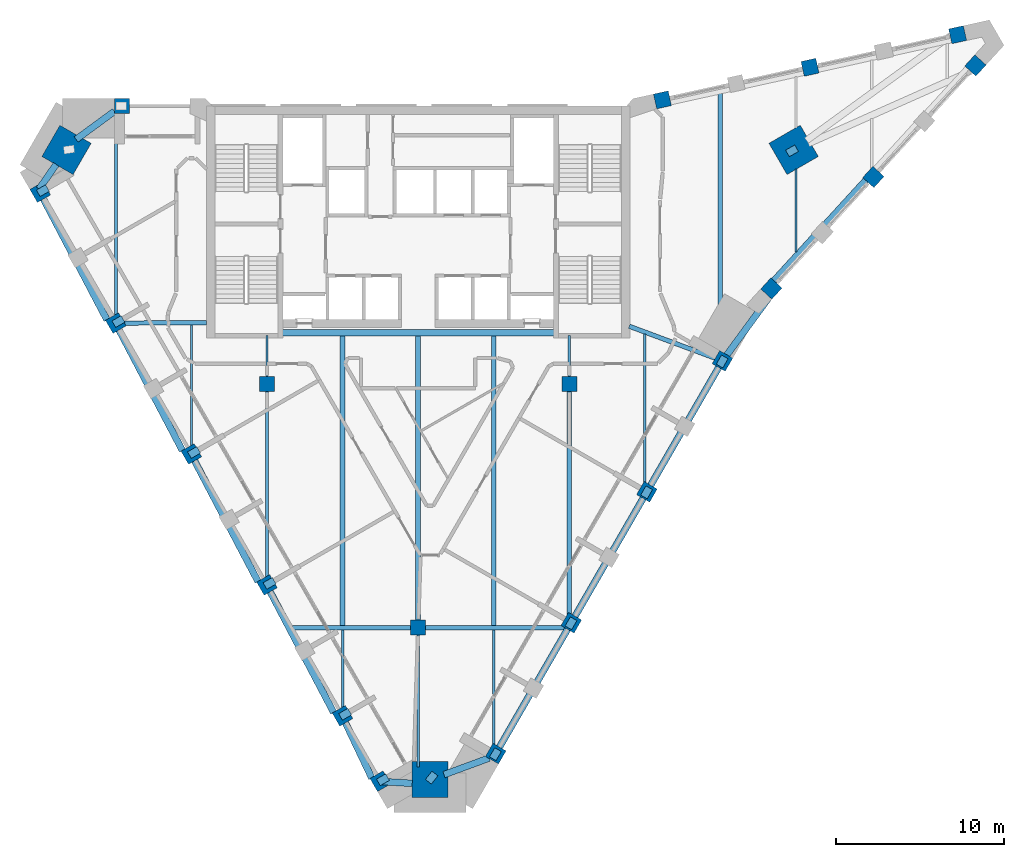
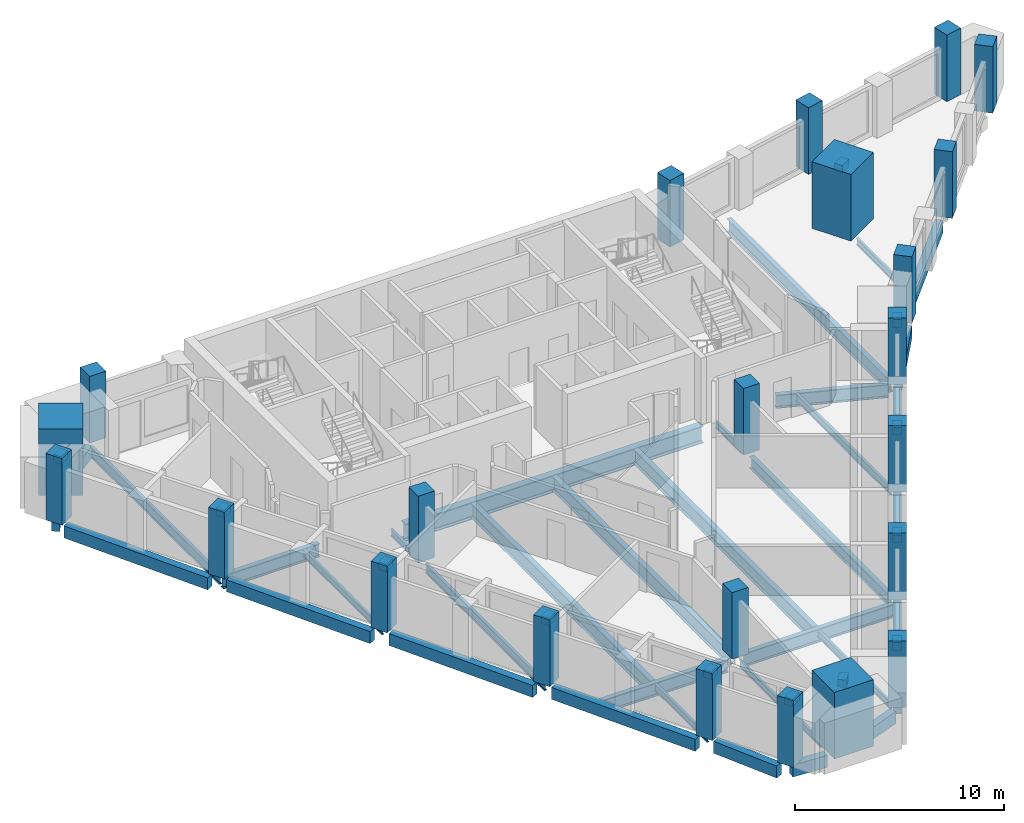
# One storey, part 1 of 9: 46 beams, 23 columns.
"""IFC4 building model written with IfcOpenShell, lengths in metres."""

from ifc_helpers import new_model, si_unit, direction, frame, origin, origin_2d, place, context, subcontext, project, spatial, rectangle, i_section, extrude, material, material_profile, profile_set, type_object, element, save


model = new_model("IFC4")

# Units and contexts
model_context = context("Model", 3, precision=1e-05, world=origin(), true_north=direction((0.0, 1.0)))
body_context = subcontext(model_context, "Body", "Model", "MODEL_VIEW")
ifc_project = project(units=[si_unit("LENGTHUNIT", "METRE"), si_unit("AREAUNIT", "SQUARE_METRE"), si_unit("VOLUMEUNIT", "CUBIC_METRE"), si_unit("PLANEANGLEUNIT", "RADIAN"), si_unit("MASSUNIT", "GRAM", prefix="KILO")], contexts=[model_context])

# Site, building, storey
site_placement = place(None, origin())
site = spatial("IfcSite", under=ifc_project, at=site_placement, CompositionType="ELEMENT")
building_placement = place(site_placement, origin())
building = spatial("IfcBuilding", under=site, at=building_placement, Name="Calabash Gate Tower", CompositionType="ELEMENT")
storey_placement = place(building_placement, frame((0.0, 0.0, 283.300048828125)))
storey = spatial("IfcBuildingStorey", under=building, at=storey_placement, Name="L68", CompositionType="ELEMENT", Elevation=283.300048828125)

# Columns
ifc_material_1 = material(Name="Concrete C60/75", Category="concrete")
ifc_material_profile_1 = material_profile(ifc_material_1, rectangle(XDim=0.89990234375, YDim=0.89990234375, at=origin_2d()))
ifc_profile_set_1 = profile_set([ifc_material_profile_1], Name="Concrete C60/75")
column_type_1 = type_object("IfcColumnType", Name="Interior column RC 900x900 Concrete C60/75", PredefinedType="COLUMN", material=ifc_profile_set_1)
for number, where, z_axis, x_axis, name in (
    (1, (-9.0, 2.5, 0.0), (0.0, 0.0, 1.0), (1.0, 0.0, 0.0), "Interior column L68 I0"),
    (2, (9.0, 2.5, 0.0), (0.0, 0.0, 1.0), (1.0, 0.0, 0.0), "Interior column L68 I1"),
    (3, (0.0, -12.0, 0.0), (0.0, 0.0, 1.0), (1.0, 0.0, 0.0), "Interior column L68 I2"),
):
    element("IfcColumn", number, at=place(storey_placement, frame(where, z_axis=z_axis, x_axis=x_axis)), inside=storey, type_object=column_type_1, Name=name, PredefinedType="COLUMN", context=body_context, shape_type="SweptSolid", body=[
        extrude(rectangle(XDim=0.89990234375, YDim=0.89990234375, at=origin_2d()), origin(), (0.0, 0.0, 1.0), 3.89990234375),
    ])
ifc_material_2 = material(Name="Concrete C60/75", Category="concrete")
ifc_material_profile_2 = material_profile(ifc_material_2, rectangle(XDim=2.14990234375, YDim=2.14990234375, at=origin_2d()))
ifc_profile_set_2 = profile_set([ifc_material_profile_2], Name="Concrete C60/75")
column_type_2 = type_object("IfcColumnType", Name="Mega column RC 2150x2150 Concrete C60/75", PredefinedType="COLUMN", material=ifc_profile_set_2)
for number, where, z_axis, x_axis, name in (
    (4, (-20.93994140625, 16.43994140625, 0.0), (0.0, 0.0, 1.0), (0.866025403784, -0.5, 0.0), "Mega column L68 NW"),
    (5, (22.35595703125, 16.43994140625, 0.0), (0.0, 0.0, 1.0), (-0.866025403784, -0.5, 0.0), "Mega column L68 NE"),
    (6, (0.7080078125, -21.055908203125, 0.0), (0.0, 0.0, 1.0), (0.0, 1.0, 0.0), "Mega column L68 S"),
):
    element("IfcColumn", number, at=place(storey_placement, frame(where, z_axis=z_axis, x_axis=x_axis)), inside=storey, type_object=column_type_2, Name=name, PredefinedType="COLUMN", context=body_context, shape_type="SweptSolid", body=[
        extrude(rectangle(XDim=2.14990234375, YDim=2.14990234375, at=origin_2d()), origin(), (0.0, 0.0, 1.0), 3.89990234375),
    ])
ifc_material_3 = material(Name="Concrete C50/60", Category="concrete")
ifc_material_profile_3 = material_profile(ifc_material_3, rectangle(XDim=0.89990234375, YDim=0.89990234375, at=origin_2d()))
ifc_profile_set_3 = profile_set([ifc_material_profile_3], Name="Concrete C50/60")
column_type_3 = type_object("IfcColumnType", Name="Perimeter column RC 900x900 Concrete C50/60", PredefinedType="COLUMN", material=ifc_profile_set_3)
for number, where, z_axis, x_axis, name in (
    (7, (-22.50390625, 13.923095703125, 0.0), (0.0, 0.0, 1.0), (0.499999984885, -0.866025412511, 0.0), "Perimeter column L68 P20"),
    (8, (-18.00390625, 6.1279296875, 0.0), (0.0, 0.0, 1.0), (0.499999984885, -0.866025412511, 0.0), "Perimeter column L68 P00"),
    (9, (-13.50390625, -1.666015625, 0.0), (0.0, 0.0, 1.0), (0.499999984885, -0.866025412511, 0.0), "Perimeter column L68 P01"),
    (10, (-9.00390625, -9.4599609375, 0.0), (0.0, 0.0, 1.0), (0.499999984885, -0.866025412511, 0.0), "Perimeter column L68 P02"),
    (11, (-4.50390625, -17.25390625, 0.0), (0.0, 0.0, 1.0), (0.499999984885, -0.866025412511, 0.0), "Perimeter column L68 P03"),
    (12, (-2.25390625, -21.152099609375, 0.0), (0.0, 0.0, 1.0), (0.499999984885, -0.866025412511, 0.0), "Perimeter column L68 P25"),
    (13, (4.618896484375, -19.507080078125, 0.0), (0.0, 0.0, 1.0), (0.5, 0.866025403784, 0.0), "Perimeter column L68 P08"),
    (14, (9.118896484375, -11.712890625, 0.0), (0.0, 0.0, 1.0), (0.5, 0.866025403784, 0.0), "Perimeter column L68 P09"),
    (15, (13.618896484375, -3.9189453125, 0.0), (0.0, 0.0, 1.0), (0.5, 0.866025403784, 0.0), "Perimeter column L68 P10"),
    (16, (18.118896484375, 3.876953125, 0.0), (0.0, 0.0, 1.0), (0.5, 0.866025403784, 0.0), "Perimeter column L68 P11"),
    (17, (21.031005859375, 8.18701171875, 0.0), (0.0, 0.0, 1.0), (0.67485604152, 0.737949404244, 0.0), "Perimeter column L68 P12"),
    (18, (27.10400390625, 14.825927734375, 0.0), (0.0, 0.0, 1.0), (0.67485604152, 0.737949404244, 0.0), "Perimeter column L68 P36"),
    (19, (33.177978515625, 21.468017578125, 0.0), (0.0, 0.0, 1.0), (0.67485604152, 0.737949404244, 0.0), "Perimeter column L68 P37"),
    (20, (32.12109375, 23.298095703125, 0.0), (0.0, 0.0, 1.0), (-0.976510951543, -0.215467773731, 0.0), "Perimeter column L68 P38"),
    (21, (23.3330078125, 21.35888671875, 0.0), (0.0, 0.0, 1.0), (-0.976510951543, -0.215467773731, 0.0), "Perimeter column L68 P39"),
    (22, (14.5439453125, 19.4189453125, 0.0), (0.0, 0.0, 1.0), (-0.976510951543, -0.215467773731, 0.0), "Perimeter column L68 P40"),
    (23, (-17.64404296875, 19.052978515625, 0.0), (0.0, 0.0, 1.0), (-1.0, 0.0, 0.0), "Perimeter column L68 P31"),
):
    element("IfcColumn", number, at=place(storey_placement, frame(where, z_axis=z_axis, x_axis=x_axis)), inside=storey, type_object=column_type_3, Name=name, PredefinedType="COLUMN", context=body_context, shape_type="SweptSolid", body=[
        extrude(rectangle(XDim=0.89990234375, YDim=0.89990234375, at=origin_2d()), origin(), (0.0, 0.0, 1.0), 3.89990234375),
    ])

# Beams
ifc_material_4 = material(Name="Concrete C80/95", Category="concrete")
ifc_material_profile_4 = material_profile(ifc_material_4, rectangle(XDim=0.449951171875, YDim=0.449951171875, at=origin_2d()))
ifc_profile_set_4 = profile_set([ifc_material_profile_4], Name="Concrete C80/95")
beam_type_1 = type_object("IfcBeamType", Name="Column offset link RC 450x450 Concrete C80/95", PredefinedType="BEAM", material=ifc_profile_set_4)
beam_1_placement = place(storey_placement, frame((21.988037109375, 16.22705078125, 3.50390625), z_axis=(0.866185586049, 0.49972245349, 0.0), x_axis=(-0.49972245349, 0.866185586049, 0.0)))
element("IfcBeam", 24, at=beam_1_placement, inside=storey, type_object=beam_type_1, Name="Column offset link L68 NE", PredefinedType="BEAM", context=body_context, shape_type="SweptSolid", body=[
    extrude(rectangle(XDim=0.449951171875, YDim=0.449951171875, at=origin_2d()), origin(), (0.0, 0.0, 1.0), 0.630126953125),
])
for number, where, z_axis, x_axis, name in (
    (25, (-18.12109375, 6.06103515625, 3.50390625), (0.867052298237, 0.498217133508, 0.0), (-0.498217133508, 0.867052298237, 0.0), "Column offset link L68 P00"),
    (26, (-13.62109375, -1.73291015625, 3.50390625), (0.867052298237, 0.498217133508, 0.0), (-0.498217133508, 0.867052298237, 0.0), "Column offset link L68 P01"),
):
    element("IfcBeam", number, at=place(storey_placement, frame(where, z_axis=z_axis, x_axis=x_axis)), inside=storey, type_object=beam_type_1, Name=name, PredefinedType="BEAM", context=body_context, shape_type="SweptSolid", body=[
        extrude(rectangle(XDim=0.449951171875, YDim=0.449951171875, at=origin_2d()), origin(), (0.0, 0.0, 1.0), 0.632080078125),
    ])
beam_2_placement = place(storey_placement, frame((-9.12109375, -9.528076171875, 3.50390625), z_axis=(0.866885444544, 0.498507398177, 0.0), x_axis=(-0.498507398177, 0.866885444544, 0.0)))
element("IfcBeam", 27, at=beam_2_placement, inside=storey, type_object=beam_type_1, Name="Column offset link L68 P02", PredefinedType="BEAM", context=body_context, shape_type="SweptSolid", body=[
    extrude(rectangle(XDim=0.449951171875, YDim=0.449951171875, at=origin_2d()), origin(), (0.0, 0.0, 1.0), 0.63232421875),
])
beam_3_placement = place(storey_placement, frame((-4.62109375, -17.322021484375, 3.50390625), z_axis=(0.867052298237, 0.498217133508, 0.0), x_axis=(-0.498217133508, 0.867052298237, 0.0)))
element("IfcBeam", 28, at=beam_3_placement, inside=storey, type_object=beam_type_1, Name="Column offset link L68 P03", PredefinedType="BEAM", context=body_context, shape_type="SweptSolid", body=[
    extrude(rectangle(XDim=0.449951171875, YDim=0.449951171875, at=origin_2d()), origin(), (0.0, 0.0, 1.0), 0.632080078125),
])
beam_4_placement = place(storey_placement, frame((4.443115234375, -19.81201171875, 3.50390625), z_axis=(0.500393920955, 0.865797853931, 0.0), x_axis=(-0.865797853931, 0.500393920955, 0.0)))
element("IfcBeam", 29, at=beam_4_placement, inside=storey, type_object=beam_type_1, Name="Column offset link L68 P08", PredefinedType="BEAM", context=body_context, shape_type="SweptSolid", body=[
    extrude(rectangle(XDim=0.449951171875, YDim=0.449951171875, at=origin_2d()), origin(), (0.0, 0.0, 1.0), 0.62939453125),
])
for number, where, z_axis, x_axis, name in (
    (30, (8.943115234375, -12.01806640625, 3.50390625), (0.499554821267, 0.866282275329, 0.0), (-0.866282275329, 0.499554821267, 0.0), "Column offset link L68 P09"),
    (31, (13.443115234375, -4.22412109375, 3.50390625), (0.499554821267, 0.866282275329, 0.0), (-0.866282275329, 0.499554821267, 0.0), "Column offset link L68 P10"),
):
    element("IfcBeam", number, at=place(storey_placement, frame(where, z_axis=z_axis, x_axis=x_axis)), inside=storey, type_object=beam_type_1, Name=name, PredefinedType="BEAM", context=body_context, shape_type="SweptSolid", body=[
        extrude(rectangle(XDim=0.449951171875, YDim=0.449951171875, at=origin_2d()), origin(), (0.0, 0.0, 1.0), 0.63037109375),
    ])
beam_5_placement = place(storey_placement, frame((17.943115234375, 3.571044921875, 3.50390625), z_axis=(0.500393920955, 0.865797853931, 0.0), x_axis=(-0.865797853931, 0.500393920955, 0.0)))
element("IfcBeam", 32, at=beam_5_placement, inside=storey, type_object=beam_type_1, Name="Column offset link L68 P11", PredefinedType="BEAM", context=body_context, shape_type="SweptSolid", body=[
    extrude(rectangle(XDim=0.449951171875, YDim=0.449951171875, at=origin_2d()), origin(), (0.0, 0.0, 1.0), 0.62939453125),
])
beam_6_placement = place(storey_placement, frame((-22.62109375, 13.85693359375, 3.50390625), z_axis=(0.868385927889, 0.495888979757, 0.0), x_axis=(-0.495888979757, 0.868385927889, 0.0)))
element("IfcBeam", 33, at=beam_6_placement, inside=storey, type_object=beam_type_1, Name="Column offset link L68 P20", PredefinedType="BEAM", context=body_context, shape_type="SweptSolid", body=[
    extrude(rectangle(XDim=0.449951171875, YDim=0.449951171875, at=origin_2d()), origin(), (0.0, 0.0, 1.0), 0.631103515625),
])
beam_7_placement = place(storey_placement, frame((-2.37109375, -21.218994140625, 3.50390625), z_axis=(0.867052298237, 0.498217133508, 0.0), x_axis=(-0.498217133508, 0.867052298237, 0.0)))
element("IfcBeam", 34, at=beam_7_placement, inside=storey, type_object=beam_type_1, Name="Column offset link L68 P25", PredefinedType="BEAM", context=body_context, shape_type="SweptSolid", body=[
    extrude(rectangle(XDim=0.449951171875, YDim=0.449951171875, at=origin_2d()), origin(), (0.0, 0.0, 1.0), 0.632080078125),
])
beam_8_placement = place(storey_placement, frame((0.60791015625, -21.18310546875, 3.50390625), z_axis=(0.618163177983, 0.786049798286, 0.0), x_axis=(-0.786049798286, 0.618163177983, 0.0)))
element("IfcBeam", 35, at=beam_8_placement, inside=storey, type_object=beam_type_1, Name="Column offset link L68 S", PredefinedType="BEAM", context=body_context, shape_type="SweptSolid", body=[
    extrude(rectangle(XDim=0.449951171875, YDim=0.449951171875, at=origin_2d()), origin(), (0.0, 0.0, 1.0), 0.631103515625),
])
ifc_material_5 = material(Name="Concrete C50/60", Category="concrete")
ifc_material_profile_5 = material_profile(ifc_material_5, rectangle(XDim=0.39990234375, YDim=0.699951171875, at=origin_2d()))
ifc_profile_set_5 = profile_set([ifc_material_profile_5], Name="Concrete C50/60")
beam_type_2 = type_object("IfcBeamType", Name="Edge beam RC 400x700 Concrete C50/60", PredefinedType="BEAM", material=ifc_profile_set_5)
beam_9_placement = place(storey_placement, frame((-13.322021484375, -2.052978515625, -0.52001953125), z_axis=(0.465269928033, -0.885168850597, 0.0), x_axis=(0.885168850597, 0.465269928033, 0.0)))
element("IfcBeam", 36, at=beam_9_placement, inside=storey, type_object=beam_type_2, Name="Edge beam L68 1", PredefinedType="BEAM", context=body_context, shape_type="SweptSolid", body=[
    extrude(rectangle(XDim=0.39990234375, YDim=0.699951171875, at=origin_2d()), origin(), (0.0, 0.0, 1.0), 8.152099609375),
])
beam_10_placement = place(storey_placement, frame((-8.822021484375, -9.84912109375, -0.52001953125), z_axis=(0.465380955056, -0.885110482749, 0.0), x_axis=(0.885110482749, 0.465380955056, 0.0)))
element("IfcBeam", 37, at=beam_10_placement, inside=storey, type_object=beam_type_2, Name="Edge beam L68 2", PredefinedType="BEAM", context=body_context, shape_type="SweptSolid", body=[
    extrude(rectangle(XDim=0.39990234375, YDim=0.699951171875, at=origin_2d()), origin(), (0.0, 0.0, 1.0), 8.150146484375),
])
beam_11_placement = place(storey_placement, frame((-4.341064453125, -17.64306640625, -0.52001953125), z_axis=(0.43018109988, -0.902742610773, 0.0), x_axis=(0.902742610773, 0.43018109988, 0.0)))
element("IfcBeam", 38, at=beam_11_placement, inside=storey, type_object=beam_type_2, Name="Edge beam L68 3", PredefinedType="BEAM", context=body_context, shape_type="SweptSolid", body=[
    extrude(rectangle(XDim=0.39990234375, YDim=0.699951171875, at=origin_2d()), origin(), (0.0, 0.0, 1.0), 3.67529296875),
])
beam_12_placement = place(storey_placement, frame((-2.2099609375, -21.1630859375, -0.52001953125), z_axis=(0.998053600048, -0.062361938966, 0.0), x_axis=(0.062361938966, 0.998053600048, 0.0)))
element("IfcBeam", 39, at=beam_12_placement, inside=storey, type_object=beam_type_2, Name="Edge beam L68 4", PredefinedType="BEAM", context=body_context, shape_type="SweptSolid", body=[
    extrude(rectangle(XDim=0.39990234375, YDim=0.699951171875, at=origin_2d()), origin(), (0.0, 0.0, 1.0), 1.859619140625),
])
beam_13_placement = place(storey_placement, frame((1.537109375, -20.760009765625, -0.52001953125), z_axis=(0.938165166725, 0.346187983535, 0.0), x_axis=(-0.346187983535, 0.938165166725, 0.0)))
element("IfcBeam", 40, at=beam_13_placement, inside=storey, type_object=beam_type_2, Name="Edge beam L68 5", PredefinedType="BEAM", context=body_context, shape_type="SweptSolid", body=[
    extrude(rectangle(XDim=0.39990234375, YDim=0.699951171875, at=origin_2d()), origin(), (0.0, 0.0, 1.0), 2.859619140625),
])
beam_14_placement = place(storey_placement, frame((4.748046875, -19.283935546875, -0.52001953125), z_axis=(0.500002345008, 0.866024049889, 0.0), x_axis=(-0.866024049889, 0.500002345008, 0.0)))
element("IfcBeam", 41, at=beam_14_placement, inside=storey, type_object=beam_type_2, Name="Edge beam L68 6", PredefinedType="BEAM", context=body_context, shape_type="SweptSolid", body=[
    extrude(rectangle(XDim=0.39990234375, YDim=0.699951171875, at=origin_2d()), origin(), (0.0, 0.0, 1.0), 8.3056640625),
])
beam_15_placement = place(storey_placement, frame((9.248046875, -11.489990234375, -0.52001953125), z_axis=(0.499938710357, 0.866060786485, 0.0), x_axis=(-0.866060786485, 0.499938710357, 0.0)))
element("IfcBeam", 42, at=beam_15_placement, inside=storey, type_object=beam_type_2, Name="Edge beam L68 7", PredefinedType="BEAM", context=body_context, shape_type="SweptSolid", body=[
    extrude(rectangle(XDim=0.39990234375, YDim=0.699951171875, at=origin_2d()), origin(), (0.0, 0.0, 1.0), 8.306640625),
])
beam_16_placement = place(storey_placement, frame((13.748046875, -3.693115234375, -0.52001953125), z_axis=(0.5000914562, 0.865972595084, 0.0), x_axis=(-0.865972595084, 0.5000914562, 0.0)))
element("IfcBeam", 43, at=beam_16_placement, inside=storey, type_object=beam_type_2, Name="Edge beam L68 8", PredefinedType="BEAM", context=body_context, shape_type="SweptSolid", body=[
    extrude(rectangle(XDim=0.39990234375, YDim=0.699951171875, at=origin_2d()), origin(), (0.0, 0.0, 1.0), 8.30419921875),
])
beam_17_placement = place(storey_placement, frame((18.27392578125, 4.0869140625, -0.52001953125), z_axis=(0.591234072904, 0.806500013043, 0.0), x_axis=(-0.806500013043, 0.591234072904, 0.0)))
element("IfcBeam", 44, at=beam_17_placement, inside=storey, type_object=beam_type_2, Name="Edge beam L68 9", PredefinedType="BEAM", context=body_context, shape_type="SweptSolid", body=[
    extrude(rectangle(XDim=0.39990234375, YDim=0.699951171875, at=origin_2d()), origin(), (0.0, 0.0, 1.0), 4.4921875),
])
beam_18_placement = place(storey_placement, frame((21.18701171875, 8.652099609375, -0.52001953125), z_axis=(0.674873802315, 0.737933161573, 0.0), x_axis=(-0.737933161573, 0.674873802315, 0.0)))
element("IfcBeam", 45, at=beam_18_placement, inside=storey, type_object=beam_type_2, Name="Edge beam L68 10", PredefinedType="BEAM", context=body_context, shape_type="SweptSolid", body=[
    extrude(rectangle(XDim=0.39990234375, YDim=0.699951171875, at=origin_2d()), origin(), (0.0, 0.0, 1.0), 8.099365234375),
])
beam_19_placement = place(storey_placement, frame((-18.080078125, 18.739990234375, -0.52001953125), z_axis=(-0.806530843889, -0.591192014371, 0.0), x_axis=(0.591192014371, -0.806530843889, 0.0)))
element("IfcBeam", 46, at=beam_19_placement, inside=storey, type_object=beam_type_2, Name="Edge beam L68 16", PredefinedType="BEAM", context=body_context, shape_type="SweptSolid", body=[
    extrude(rectangle(XDim=0.39990234375, YDim=0.699951171875, at=origin_2d()), origin(), (0.0, 0.0, 1.0), 2.836669921875),
])
beam_20_placement = place(storey_placement, frame((-21.552978515625, 15.5791015625, -0.52001953125), z_axis=(-0.56906746362, -0.822290837751, 0.0), x_axis=(0.822290837751, -0.56906746362, 0.0)))
element("IfcBeam", 47, at=beam_20_placement, inside=storey, type_object=beam_type_2, Name="Edge beam L68 17", PredefinedType="BEAM", context=body_context, shape_type="SweptSolid", body=[
    extrude(rectangle(XDim=0.39990234375, YDim=0.699951171875, at=origin_2d()), origin(), (0.0, 0.0, 1.0), 1.78173828125),
])
beam_21_placement = place(storey_placement, frame((-22.322021484375, 13.532958984375, -0.52001953125), z_axis=(0.465430315058, -0.885084528068, 0.0), x_axis=(0.885084528068, 0.465430315058, 0.0)))
element("IfcBeam", 48, at=beam_21_placement, inside=storey, type_object=beam_type_2, Name="Edge beam L68 18", PredefinedType="BEAM", context=body_context, shape_type="SweptSolid", body=[
    extrude(rectangle(XDim=0.39990234375, YDim=0.699951171875, at=origin_2d()), origin(), (0.0, 0.0, 1.0), 8.1494140625),
])
beam_22_placement = place(storey_placement, frame((-17.822021484375, 5.739013671875, -0.52001953125), z_axis=(0.465479684083, -0.885058565128, 0.0), x_axis=(0.885058565128, 0.465479684083, 0.0)))
element("IfcBeam", 49, at=beam_22_placement, inside=storey, type_object=beam_type_2, Name="Edge beam L68 19", PredefinedType="BEAM", context=body_context, shape_type="SweptSolid", body=[
    extrude(rectangle(XDim=0.39990234375, YDim=0.699951171875, at=origin_2d()), origin(), (0.0, 0.0, 1.0), 8.1484375),
])
ifc_material_6 = material(Name="Steel ASTM A992 Gr50", Category="steel")
ifc_material_profile_6 = material_profile(ifc_material_6, i_section(OverallWidth=0.1396484375, OverallDepth=0.398681640625, WebThickness=0.00634765625, FlangeThickness=0.0087890625, FilletRadius=0.01025390625, at=origin_2d()))
ifc_profile_set_6 = profile_set([ifc_material_profile_6], Name="Steel ASTM A992 Gr50")
beam_type_3 = type_object("IfcBeamType", Name="Floor beam W16x26 ASTM A992 Gr50", PredefinedType="BEAM", material=ifc_profile_set_6)
beam_23_placement = place(storey_placement, frame((-13.5, -1.5830078125, -0.369140625), z_axis=(0.0, 1.0, 0.0), x_axis=(-1.0, 0.0, 0.0)))
element("IfcBeam", 50, at=beam_23_placement, inside=storey, type_object=beam_type_3, Name="Floor beam L68 2", PredefinedType="BEAM", context=body_context, shape_type="SweptSolid", body=[
    extrude(i_section(OverallWidth=0.1396484375, OverallDepth=0.398681640625, WebThickness=0.00634765625, FlangeThickness=0.0087890625, FilletRadius=0.01025390625, at=origin_2d()), origin(), (0.0, 0.0, 1.0), 7.595947265625),
])
beam_24_placement = place(storey_placement, frame((-9.0, 2.949951171875, -0.369140625), z_axis=(0.0, 1.0, 0.0), x_axis=(-1.0, 0.0, 0.0)))
element("IfcBeam", 51, at=beam_24_placement, inside=storey, type_object=beam_type_3, Name="Floor beam L68 4", PredefinedType="BEAM", context=body_context, shape_type="SweptSolid", body=[
    extrude(i_section(OverallWidth=0.1396484375, OverallDepth=0.398681640625, WebThickness=0.00634765625, FlangeThickness=0.0087890625, FilletRadius=0.01025390625, at=origin_2d()), origin(), (0.0, 0.0, 1.0), 2.453125),
])
beam_25_placement = place(storey_placement, frame((-4.5, -17.173095703125, -0.369140625), z_axis=(0.0, 1.0, 0.0), x_axis=(-1.0, 0.0, 0.0)))
element("IfcBeam", 52, at=beam_25_placement, inside=storey, type_object=beam_type_3, Name="Floor beam L68 5", PredefinedType="BEAM", context=body_context, shape_type="SweptSolid", body=[
    extrude(i_section(OverallWidth=0.1396484375, OverallDepth=0.398681640625, WebThickness=0.00634765625, FlangeThickness=0.0087890625, FilletRadius=0.01025390625, at=origin_2d()), origin(), (0.0, 0.0, 1.0), 5.0400390625),
])
beam_26_placement = place(storey_placement, frame((0.0, -20.29296875, -0.369140625), z_axis=(0.0, 1.0, 0.0), x_axis=(-1.0, 0.0, 0.0)))
element("IfcBeam", 53, at=beam_26_placement, inside=storey, type_object=beam_type_3, Name="Floor beam L68 7", PredefinedType="BEAM", context=body_context, shape_type="SweptSolid", body=[
    extrude(i_section(OverallWidth=0.1396484375, OverallDepth=0.398681640625, WebThickness=0.00634765625, FlangeThickness=0.0087890625, FilletRadius=0.01025390625, at=origin_2d()), origin(), (0.0, 0.0, 1.0), 7.843017578125),
])
beam_27_placement = place(storey_placement, frame((4.5, -19.153076171875, -0.369140625), z_axis=(0.0, 1.0, 0.0), x_axis=(-1.0, 0.0, 0.0)))
element("IfcBeam", 54, at=beam_27_placement, inside=storey, type_object=beam_type_3, Name="Floor beam L68 9", PredefinedType="BEAM", context=body_context, shape_type="SweptSolid", body=[
    extrude(i_section(OverallWidth=0.1396484375, OverallDepth=0.398681640625, WebThickness=0.00634765625, FlangeThickness=0.0087890625, FilletRadius=0.01025390625, at=origin_2d()), origin(), (0.0, 0.0, 1.0), 7.02001953125),
])
beam_28_placement = place(storey_placement, frame((9.0, 2.949951171875, -0.369140625), z_axis=(0.0, 1.0, 0.0), x_axis=(-1.0, 0.0, 0.0)))
element("IfcBeam", 55, at=beam_28_placement, inside=storey, type_object=beam_type_3, Name="Floor beam L68 12", PredefinedType="BEAM", context=body_context, shape_type="SweptSolid", body=[
    extrude(i_section(OverallWidth=0.1396484375, OverallDepth=0.398681640625, WebThickness=0.00634765625, FlangeThickness=0.0087890625, FilletRadius=0.01025390625, at=origin_2d()), origin(), (0.0, 0.0, 1.0), 2.453125),
])
beam_29_placement = place(storey_placement, frame((22.5, 10.3720703125, -0.369140625), z_axis=(0.0, 1.0, 0.0), x_axis=(-1.0, 0.0, 0.0)))
element("IfcBeam", 56, at=beam_29_placement, inside=storey, type_object=beam_type_3, Name="Floor beam L68 15", PredefinedType="BEAM", context=body_context, shape_type="SweptSolid", body=[
    extrude(i_section(OverallWidth=0.1396484375, OverallDepth=0.398681640625, WebThickness=0.00634765625, FlangeThickness=0.0087890625, FilletRadius=0.01025390625, at=origin_2d()), origin(), (0.0, 0.0, 1.0), 4.94189453125),
])
ifc_material_7 = material(Name="Steel ASTM A992 Gr50", Category="steel")
ifc_material_profile_7 = material_profile(ifc_material_7, i_section(OverallWidth=0.15234375, OverallDepth=0.44970703125, WebThickness=0.007568359375, FlangeThickness=0.0107421875, FilletRadius=0.01025390625, at=origin_2d()))
ifc_profile_set_7 = profile_set([ifc_material_profile_7], Name="Steel ASTM A992 Gr50")
beam_type_4 = type_object("IfcBeamType", Name="Floor beam W18x35 ASTM A992 Gr50", PredefinedType="BEAM", material=ifc_profile_set_7)
beam_30_placement = place(storey_placement, frame((13.5, -3.56689453125, -0.39306640625), z_axis=(0.0, 1.0, 0.0), x_axis=(-1.0, 0.0, 0.0)))
element("IfcBeam", 57, at=beam_30_placement, inside=storey, type_object=beam_type_4, Name="Floor beam L68 13", PredefinedType="BEAM", context=body_context, shape_type="SweptSolid", body=[
    extrude(i_section(OverallWidth=0.15234375, OverallDepth=0.44970703125, WebThickness=0.007568359375, FlangeThickness=0.0107421875, FilletRadius=0.01025390625, at=origin_2d()), origin(), (0.0, 0.0, 1.0), 9.05078125),
])
ifc_material_8 = material(Name="Steel ASTM A992 Gr50", Category="steel")
ifc_material_profile_8 = material_profile(ifc_material_8, i_section(OverallWidth=0.166015625, OverallDepth=0.5283203125, WebThickness=0.009765625, FlangeThickness=0.013671875, FilletRadius=0.0126953125, at=origin_2d()))
ifc_profile_set_8 = profile_set([ifc_material_profile_8], Name="Steel ASTM A992 Gr50")
beam_type_5 = type_object("IfcBeamType", Name="Floor beam W21x50 ASTM A992 Gr50", PredefinedType="BEAM", material=ifc_profile_set_8)
beam_31_placement = place(storey_placement, frame((-9.0, -9.37890625, -0.43408203125), z_axis=(0.0, 1.0, 0.0), x_axis=(-1.0, 0.0, 0.0)))
element("IfcBeam", 58, at=beam_31_placement, inside=storey, type_object=beam_type_5, Name="Floor beam L68 3", PredefinedType="BEAM", context=body_context, shape_type="SweptSolid", body=[
    extrude(i_section(OverallWidth=0.166015625, OverallDepth=0.5283203125, WebThickness=0.009765625, FlangeThickness=0.013671875, FilletRadius=0.0126953125, at=origin_2d()), origin(), (0.0, 0.0, 1.0), 11.428955078125),
])
ifc_material_9 = material(Name="Steel ASTM A992 Gr50", Category="steel")
ifc_material_profile_9 = material_profile(ifc_material_9, i_section(OverallWidth=0.1787109375, OverallDepth=0.60205078125, WebThickness=0.010986328125, FlangeThickness=0.014892578125, FilletRadius=0.0126953125, at=origin_2d()))
ifc_profile_set_9 = profile_set([ifc_material_profile_9], Name="Steel ASTM A992 Gr50")
beam_type_6 = type_object("IfcBeamType", Name="Floor beam W24x62 ASTM A992 Gr50", PredefinedType="BEAM", material=ifc_profile_set_9)
beam_32_placement = place(storey_placement, frame((-18.0, 6.208984375, -0.470947265625), z_axis=(0.0, 1.0, 0.0), x_axis=(-1.0, 0.0, 0.0)))
element("IfcBeam", 59, at=beam_32_placement, inside=storey, type_object=beam_type_6, Name="Floor beam L68 1", PredefinedType="BEAM", context=body_context, shape_type="SweptSolid", body=[
    extrude(i_section(OverallWidth=0.1787109375, OverallDepth=0.60205078125, WebThickness=0.010986328125, FlangeThickness=0.014892578125, FilletRadius=0.0126953125, at=origin_2d()), origin(), (0.0, 0.0, 1.0), 12.373046875),
])
ifc_material_10 = material(Name="Steel ASTM A992 Gr50", Category="steel")
ifc_material_profile_10 = material_profile(ifc_material_10, i_section(OverallWidth=0.25390625, OverallDepth=0.67822265625, WebThickness=0.01171875, FlangeThickness=0.016357421875, FilletRadius=0.01513671875, at=origin_2d()))
ifc_profile_set_10 = profile_set([ifc_material_profile_10], Name="Steel ASTM A992 Gr50")
beam_type_7 = type_object("IfcBeamType", Name="Floor beam W27x84 ASTM A992 Gr50", PredefinedType="BEAM", material=ifc_profile_set_10)
beam_33_placement = place(storey_placement, frame((9.0, -11.361083984375, -0.509033203125), z_axis=(0.0, 1.0, 0.0), x_axis=(-1.0, 0.0, 0.0)))
element("IfcBeam", 60, at=beam_33_placement, inside=storey, type_object=beam_type_7, Name="Floor beam L68 11", PredefinedType="BEAM", context=body_context, shape_type="SweptSolid", body=[
    extrude(i_section(OverallWidth=0.25390625, OverallDepth=0.67822265625, WebThickness=0.01171875, FlangeThickness=0.016357421875, FilletRadius=0.01513671875, at=origin_2d()), origin(), (0.0, 0.0, 1.0), 13.4111328125),
])
ifc_material_11 = material(Name="Steel ASTM A992 Gr50", Category="steel")
ifc_material_profile_11 = material_profile(ifc_material_11, i_section(OverallWidth=0.2666015625, OverallDepth=0.7568359375, WebThickness=0.013916015625, FlangeThickness=0.019287109375, FilletRadius=0.0166015625, at=origin_2d()))
ifc_profile_set_11 = profile_set([ifc_material_profile_11], Name="Steel ASTM A992 Gr50")
beam_type_8 = type_object("IfcBeamType", Name="Floor beam W30x108 ASTM A992 Gr50", PredefinedType="BEAM", material=ifc_profile_set_11)
beam_34_placement = place(storey_placement, frame((18.0, 4.22705078125, -0.548095703125), z_axis=(0.0, 1.0, 0.0), x_axis=(-1.0, 0.0, 0.0)))
element("IfcBeam", 61, at=beam_34_placement, inside=storey, type_object=beam_type_8, Name="Floor beam L68 14", PredefinedType="BEAM", context=body_context, shape_type="SweptSolid", body=[
    extrude(i_section(OverallWidth=0.2666015625, OverallDepth=0.7568359375, WebThickness=0.013916015625, FlangeThickness=0.019287109375, FilletRadius=0.0166015625, at=origin_2d()), origin(), (0.0, 0.0, 1.0), 15.576904296875),
])
ifc_material_12 = material(Name="Steel ASTM A992 Gr50", Category="steel")
ifc_material_profile_12 = material_profile(ifc_material_12, i_section(OverallWidth=0.2919921875, OverallDepth=0.845703125, WebThickness=0.015380859375, FlangeThickness=0.0244140625, FilletRadius=0.017822265625, at=origin_2d()))
ifc_profile_set_12 = profile_set([ifc_material_profile_12], Name="Steel ASTM A992 Gr50")
beam_type_9 = type_object("IfcBeamType", Name="Floor beam W33x141 ASTM A992 Gr50", PredefinedType="BEAM", material=ifc_profile_set_12)
beam_35_placement = place(storey_placement, frame((-4.5, -11.866943359375, -0.593017578125), z_axis=(0.0, 1.0, 0.0), x_axis=(-1.0, 0.0, 0.0)))
element("IfcBeam", 62, at=beam_35_placement, inside=storey, type_object=beam_type_9, Name="Floor beam L68 6", PredefinedType="BEAM", context=body_context, shape_type="SweptSolid", body=[
    extrude(i_section(OverallWidth=0.2919921875, OverallDepth=0.845703125, WebThickness=0.015380859375, FlangeThickness=0.0244140625, FilletRadius=0.017822265625, at=origin_2d()), origin(), (0.0, 0.0, 1.0), 17.218994140625),
])
beam_36_placement = place(storey_placement, frame((0.0, -11.550048828125, -0.593017578125), z_axis=(0.0, 1.0, 0.0), x_axis=(-1.0, 0.0, 0.0)))
element("IfcBeam", 63, at=beam_36_placement, inside=storey, type_object=beam_type_9, Name="Floor beam L68 8", PredefinedType="BEAM", context=body_context, shape_type="SweptSolid", body=[
    extrude(i_section(OverallWidth=0.2919921875, OverallDepth=0.845703125, WebThickness=0.015380859375, FlangeThickness=0.0244140625, FilletRadius=0.017822265625, at=origin_2d()), origin(), (0.0, 0.0, 1.0), 16.902099609375),
])
beam_37_placement = place(storey_placement, frame((4.5, -11.866943359375, -0.593017578125), z_axis=(0.0, 1.0, 0.0), x_axis=(-1.0, 0.0, 0.0)))
element("IfcBeam", 64, at=beam_37_placement, inside=storey, type_object=beam_type_9, Name="Floor beam L68 10", PredefinedType="BEAM", context=body_context, shape_type="SweptSolid", body=[
    extrude(i_section(OverallWidth=0.2919921875, OverallDepth=0.845703125, WebThickness=0.015380859375, FlangeThickness=0.0244140625, FilletRadius=0.017822265625, at=origin_2d()), origin(), (0.0, 0.0, 1.0), 17.218994140625),
])
ifc_material_13 = material(Name="Steel ASTM A992 Gr50", Category="steel")
ifc_material_profile_13 = material_profile(ifc_material_13, i_section(OverallWidth=0.2666015625, OverallDepth=0.77978515625, WebThickness=0.0166015625, FlangeThickness=0.030029296875, FilletRadius=0.0166015625, at=origin_2d()))
ifc_profile_set_13 = profile_set([ifc_material_profile_13], Name="Steel ASTM A992 Gr50")
beam_type_10 = type_object("IfcBeamType", Name="Girder W30x148 ASTM A992 Gr50", PredefinedType="BEAM", material=ifc_profile_set_13)
beam_38_placement = place(storey_placement, frame((-17.968017578125, 6.1279296875, -0.56005859375), z_axis=(0.999991622439, 0.004093293583, 0.0), x_axis=(-0.004093293583, 0.999991622439, 0.0)))
element("IfcBeam", 65, at=beam_38_placement, inside=storey, type_object=beam_type_10, Name="Girder L68 2", PredefinedType="BEAM", context=body_context, shape_type="SweptSolid", body=[
    extrude(i_section(OverallWidth=0.2666015625, OverallDepth=0.77978515625, WebThickness=0.0166015625, FlangeThickness=0.030029296875, FilletRadius=0.0166015625, at=origin_2d()), origin(), (0.0, 0.0, 1.0), 5.367919921875),
])
beam_39_placement = place(storey_placement, frame((17.7119140625, 4.027099609375, -0.56005859375), z_axis=(-0.937245864841, 0.348669168179, 0.0), x_axis=(-0.348669168179, -0.937245864841, 0.0)))
element("IfcBeam", 66, at=beam_39_placement, inside=storey, type_object=beam_type_10, Name="Girder L68 3", PredefinedType="BEAM", context=body_context, shape_type="SweptSolid", body=[
    extrude(i_section(OverallWidth=0.2666015625, OverallDepth=0.77978515625, WebThickness=0.0166015625, FlangeThickness=0.030029296875, FilletRadius=0.0166015625, at=origin_2d()), origin(), (0.0, 0.0, 1.0), 5.486083984375),
])
beam_40_placement = place(storey_placement, frame((-7.488037109375, -12.0, -0.56005859375), z_axis=(1.0, 0.0, 0.0), x_axis=(0.0, 1.0, 0.0)))
element("IfcBeam", 67, at=beam_40_placement, inside=storey, type_object=beam_type_10, Name="Girder L68 4", PredefinedType="BEAM", context=body_context, shape_type="SweptSolid", body=[
    extrude(i_section(OverallWidth=0.2666015625, OverallDepth=0.77978515625, WebThickness=0.0166015625, FlangeThickness=0.030029296875, FilletRadius=0.0166015625, at=origin_2d()), origin(), (0.0, 0.0, 1.0), 7.0380859375),
])
beam_41_placement = place(storey_placement, frame((0.449951171875, -12.0, -0.56005859375), z_axis=(1.0, 0.0, 0.0), x_axis=(0.0, 1.0, 0.0)))
element("IfcBeam", 68, at=beam_41_placement, inside=storey, type_object=beam_type_10, Name="Girder L68 5", PredefinedType="BEAM", context=body_context, shape_type="SweptSolid", body=[
    extrude(i_section(OverallWidth=0.2666015625, OverallDepth=0.77978515625, WebThickness=0.0166015625, FlangeThickness=0.030029296875, FilletRadius=0.0166015625, at=origin_2d()), origin(), (0.0, 0.0, 1.0), 8.2861328125),
])
ifc_material_14 = material(Name="Steel ASTM A992 Gr50", Category="steel")
ifc_material_profile_14 = material_profile(ifc_material_14, i_section(OverallWidth=0.4013671875, OverallDepth=1.000732421875, WebThickness=0.01904296875, FlangeThickness=0.0361328125, FilletRadius=0.030029296875, at=origin_2d()))
ifc_profile_set_14 = profile_set([ifc_material_profile_14], Name="Steel ASTM A992 Gr50")
beam_type_11 = type_object("IfcBeamType", Name="Girder W40x249 ASTM A992 Gr50", PredefinedType="BEAM", material=ifc_profile_set_14)
beam_42_placement = place(storey_placement, frame((-8.25, 5.552978515625, -0.670166015625), z_axis=(1.0, 0.0, 0.0), x_axis=(0.0, 1.0, 0.0)))
element("IfcBeam", 69, at=beam_42_placement, inside=storey, type_object=beam_type_11, Name="Girder L68 1", PredefinedType="BEAM", context=body_context, shape_type="SweptSolid", body=[
    extrude(i_section(OverallWidth=0.4013671875, OverallDepth=1.000732421875, WebThickness=0.01904296875, FlangeThickness=0.0361328125, FilletRadius=0.030029296875, at=origin_2d()), origin(), (0.0, 0.0, 1.0), 16.5),
])

save(model, "model.ifc")
